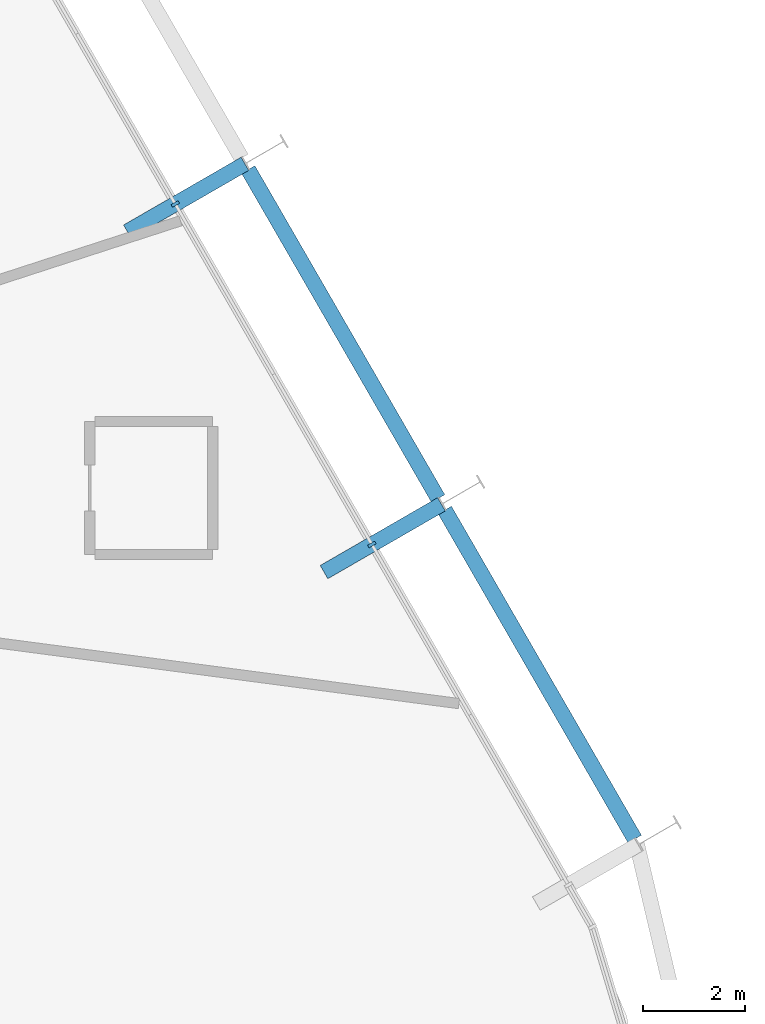
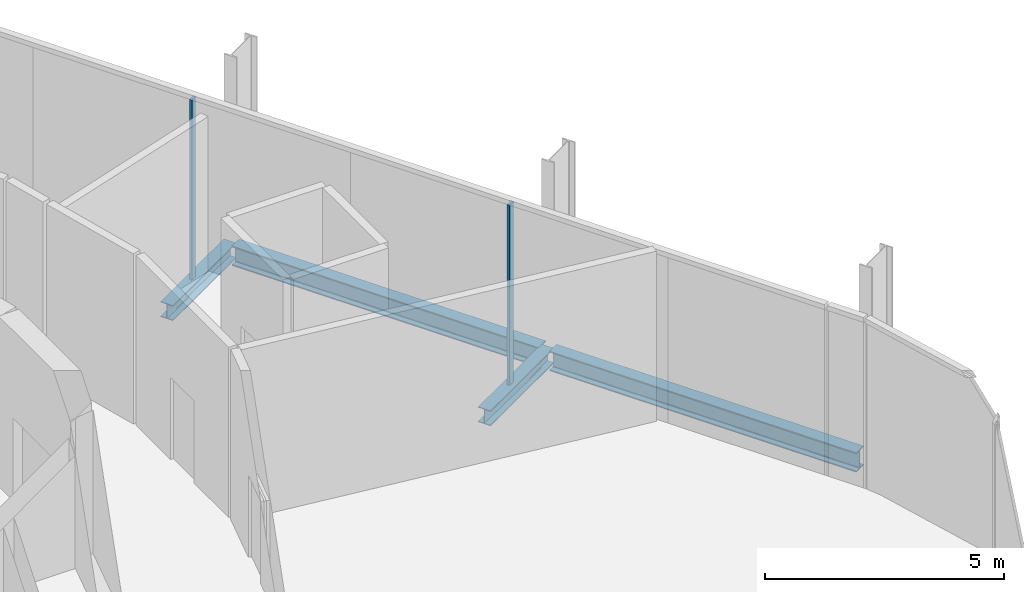
# One storey, part 7 of 17: 4 beams, 2 members, 1 element without a shape of its own.
"""IFC4 building model written with IfcOpenShell, lengths in metres."""

from ifc_helpers import new_model, si_unit, direction, frame, origin, origin_2d, place, context, subcontext, project, spatial, rectangle, i_section, extrude, material, layer, layer_set, material_profile, profile_set, type_object, element, aggregate, save


model = new_model("IFC4")

# Units and contexts
model_context = context("Model", 3, precision=1e-05, world=origin(), true_north=direction((0.0, 1.0)))
body_context = subcontext(model_context, "Body", "Model", "MODEL_VIEW")
ifc_project = project(units=[si_unit("LENGTHUNIT", "METRE"), si_unit("AREAUNIT", "SQUARE_METRE"), si_unit("VOLUMEUNIT", "CUBIC_METRE"), si_unit("PLANEANGLEUNIT", "RADIAN"), si_unit("MASSUNIT", "GRAM", prefix="KILO")], contexts=[model_context])

# Site, building, storey
site_placement = place(None, origin())
site = spatial("IfcSite", under=ifc_project, at=site_placement, CompositionType="ELEMENT")
building_placement = place(site_placement, origin())
building = spatial("IfcBuilding", under=site, at=building_placement, Name="Spindle Arch Residences", CompositionType="ELEMENT")
storey_placement = place(building_placement, frame((0.0, 0.0, 28.199951171875)))
storey = spatial("IfcBuildingStorey", under=building, at=storey_placement, Name="L05", CompositionType="ELEMENT", Elevation=28.199951171875)

# Curtain wall, members
ifc_material_1 = material(Name="Aluminium bronze unitised frame with tinted glass", Category="aluminium")
ifc_layer = layer(ifc_material_1, 0.159912109375)
ifc_layer_set = layer_set([ifc_layer], Name="CW-B amenity podium glazed wall")
curtain_wall_type = type_object("IfcCurtainWallType", Name="CW-B amenity podium glazed wall", PredefinedType="NOTDEFINED", material=ifc_layer_set)
curtain_wall_placement = place(storey_placement, origin())
curtain_wall = element("IfcCurtainWall", 1, at=curtain_wall_placement, inside=storey, type_object=curtain_wall_type, Name="CW-B L05 run 2", PredefinedType="NOTDEFINED")
ifc_material_2 = material(Name="Aluminium bronze anodised mullion", Category="aluminium")
ifc_material_profile_1 = material_profile(ifc_material_2, rectangle(XDim=0.159912109375, YDim=0.06005859375, at=origin_2d()), Name="MU 60x160")
ifc_profile_set_1 = profile_set([ifc_material_profile_1], Name="Aluminium bronze anodised mullion")
member_type = type_object("IfcMemberType", Name="Bronze mullion 60x160", PredefinedType="MULLION", material=ifc_profile_set_1)
member_1_placement = place(storey_placement, frame((22.829345703125, -0.121826171875, -0.3798828125), z_axis=(0.0, 0.0, 1.0), x_axis=(-0.866025403784, -0.5, 0.0)))
member_1 = element("IfcMember", 2, at=member_1_placement, type_object=member_type, Name="CW-B mullion 06", PredefinedType="MULLION", context=body_context, shape_type="SweptSolid", body=[
    extrude(rectangle(XDim=0.159912109375, YDim=0.06005859375, at=origin_2d()), origin(), (0.0, 0.0, 1.0), 4.60986328125),
])
member_2_placement = place(storey_placement, frame((18.9892578125, 6.529296875, -0.3798828125), z_axis=(0.0, 0.0, 1.0), x_axis=(-0.866025403784, -0.5, 0.0)))
member_2 = element("IfcMember", 3, at=member_2_placement, type_object=member_type, Name="CW-B mullion 07", PredefinedType="MULLION", context=body_context, shape_type="SweptSolid", body=[
    extrude(rectangle(XDim=0.159912109375, YDim=0.06005859375, at=origin_2d()), origin(), (0.0, 0.0, 1.0), 4.60986328125),
])
aggregate(curtain_wall, [member_1, member_2])

# Beams
ifc_material_3 = material(Name="Steel S460ML, intumescent coating R 120", Category="steel")
ifc_material_profile_2 = material_profile(ifc_material_3, i_section(OverallWidth=0.300048828125, OverallDepth=0.5, WebThickness=0.014404296875, FlangeThickness=0.028076171875, FilletRadius=0.027099609375, at=origin_2d()), Name="HEB 500")
ifc_profile_set_2 = profile_set([ifc_material_profile_2], Name="Steel S460ML, intumescent coating R 120")
beam_type_1 = type_object("IfcBeamType", Name="Exoskeleton edge beam HEB 500", PredefinedType="BEAM", material=ifc_profile_set_2)
beam_1_placement = place(storey_placement, frame((27.964111328125, -5.875244140625, -0.6298828125), z_axis=(-0.50002815445, 0.866009148195, 0.0), x_axis=(-0.866009148195, -0.50002815445, 0.0)))
element("IfcBeam", 4, at=beam_1_placement, inside=storey, type_object=beam_type_1, Name="Exoskeleton edge beam 6", PredefinedType="BEAM", context=body_context, shape_type="SweptSolid", body=[
    extrude(i_section(OverallWidth=0.300048828125, OverallDepth=0.5, WebThickness=0.014404296875, FlangeThickness=0.028076171875, FilletRadius=0.027099609375, at=origin_2d()), origin(), (0.0, 0.0, 1.0), 7.419921875),
])
beam_2_placement = place(storey_placement, frame((24.1240234375, 0.77587890625, -0.6298828125), z_axis=(-0.49998923004, 0.866031621735, 0.0), x_axis=(-0.866031621735, -0.49998923004, 0.0)))
element("IfcBeam", 5, at=beam_2_placement, inside=storey, type_object=beam_type_1, Name="Exoskeleton edge beam 7", PredefinedType="BEAM", context=body_context, shape_type="SweptSolid", body=[
    extrude(i_section(OverallWidth=0.300048828125, OverallDepth=0.5, WebThickness=0.014404296875, FlangeThickness=0.028076171875, FilletRadius=0.027099609375, at=origin_2d()), origin(), (0.0, 0.0, 1.0), 7.420166015625),
])
ifc_material_4 = material(Name="Steel S460ML, intumescent coating R 120", Category="steel")
ifc_material_profile_3 = material_profile(ifc_material_4, i_section(OverallWidth=0.300048828125, OverallDepth=0.389892578125, WebThickness=0.010986328125, FlangeThickness=0.01904296875, FilletRadius=0.027099609375, at=origin_2d()), Name="HEA 400")
ifc_profile_set_3 = profile_set([ifc_material_profile_3], Name="Steel S460ML, intumescent coating R 120")
beam_type_2 = type_object("IfcBeamType", Name="Floor outrigger HEA 400", PredefinedType="BEAM", material=ifc_profile_set_3)
beam_3_placement = place(storey_placement, frame((24.18896484375, 0.6630859375, -0.574951171875), z_axis=(-0.866029095148, -0.499993606316, 0.0), x_axis=(0.499993606316, -0.866029095148, 0.0)))
element("IfcBeam", 6, at=beam_3_placement, inside=storey, type_object=beam_type_2, Name="Floor outrigger 7", PredefinedType="BEAM", context=body_context, shape_type="SweptSolid", body=[
    extrude(i_section(OverallWidth=0.300048828125, OverallDepth=0.389892578125, WebThickness=0.010986328125, FlangeThickness=0.01904296875, FilletRadius=0.027099609375, at=origin_2d()), origin(), (0.0, 0.0, 1.0), 2.64990234375),
])
beam_4_placement = place(storey_placement, frame((20.34912109375, 7.314453125, -0.574951171875), z_axis=(-0.866052124492, -0.499953715521, 0.0), x_axis=(0.499953715521, -0.866052124492, 0.0)))
element("IfcBeam", 7, at=beam_4_placement, inside=storey, type_object=beam_type_2, Name="Floor outrigger 8", PredefinedType="BEAM", context=body_context, shape_type="SweptSolid", body=[
    extrude(i_section(OverallWidth=0.300048828125, OverallDepth=0.389892578125, WebThickness=0.010986328125, FlangeThickness=0.01904296875, FilletRadius=0.027099609375, at=origin_2d()), origin(), (0.0, 0.0, 1.0), 2.650146484375),
])

save(model, "model.ifc")
